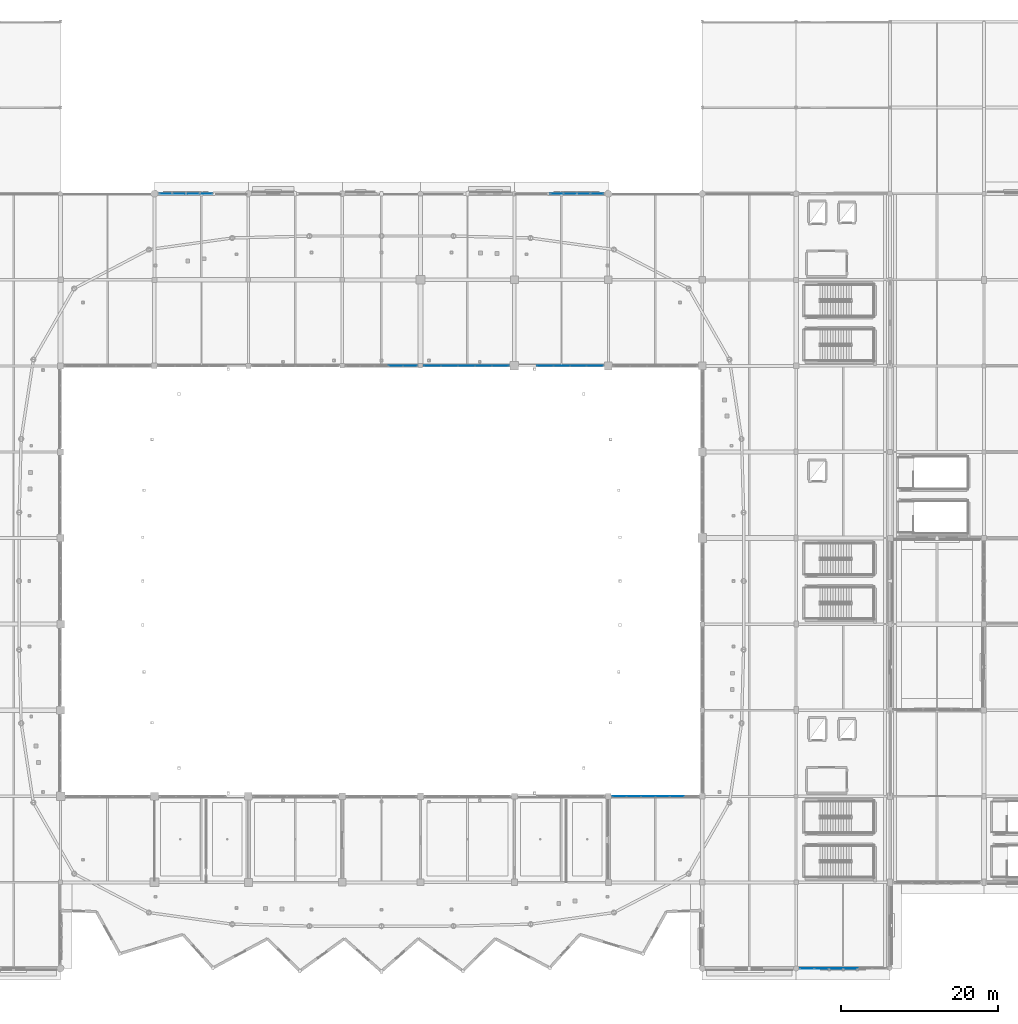
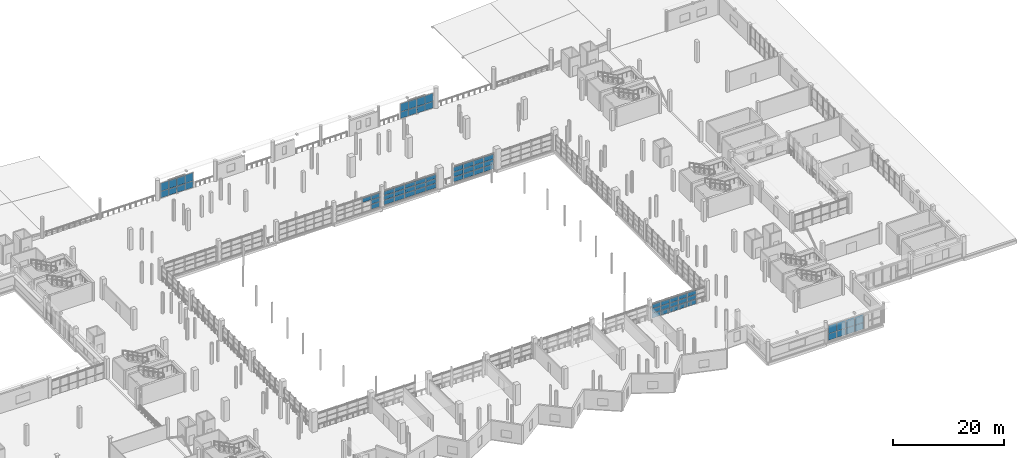
# One storey, part 71 of 118: 70 plates, 7 elements without a shape of their own.
"""IFC4 building model written with IfcOpenShell, lengths in metres."""

from ifc_helpers import new_model, si_unit, direction, frame, origin, origin_2d, place, context, subcontext, project, spatial, rectangle, extrude, material, layer, layer_set, type_object, element, aggregate, save


model = new_model("IFC4")

# Units and contexts
model_context = context("Model", 3, precision=1e-05, world=origin(), true_north=direction((0.0, 1.0)))
body_context = subcontext(model_context, "Body", "Model", "MODEL_VIEW")
ifc_project = project(units=[si_unit("LENGTHUNIT", "METRE"), si_unit("AREAUNIT", "SQUARE_METRE"), si_unit("VOLUMEUNIT", "CUBIC_METRE"), si_unit("PLANEANGLEUNIT", "RADIAN"), si_unit("MASSUNIT", "GRAM", prefix="KILO")], contexts=[model_context])

# Site, building, storey
site_placement = place(None, origin())
site = spatial("IfcSite", under=ifc_project, at=site_placement, CompositionType="ELEMENT")
building_placement = place(site_placement, origin())
building = spatial("IfcBuilding", under=site, at=building_placement, Name="Luwafu Chhajja Arena", CompositionType="ELEMENT")
storey_placement = place(building_placement, frame((0.0, 0.0, 10.199951171875)))
storey = spatial("IfcBuildingStorey", under=building, at=storey_placement, Name="L02", CompositionType="ELEMENT", Elevation=10.199951171875)

# Curtain wall, plates
ifc_material_1 = material(Name="Anodised bronze aluminium", Category="aluminium")
curtain_wall_type_1 = type_object("IfcCurtainWallType", Name="VIP Club Terrace Curtain Wall", PredefinedType="USERDEFINED", material=ifc_material_1)
curtain_wall_1_placement = place(storey_placement, origin())
curtain_wall_1 = element("IfcCurtainWall", 1, at=curtain_wall_1_placement, inside=storey, type_object=curtain_wall_type_1, Name="L02 Curtain Wall CWG-L02-H06_09", ObjectType="CURTAIN WALL", PredefinedType="USERDEFINED")
ifc_material_2 = material(Name="Solar-control laminated glass", Category="glass")
ifc_layer_1 = layer(ifc_material_2, 0.035888671875, Name="Solar-control laminated glass")
ifc_layer_set_1 = layer_set([ifc_layer_1], Name="Solar-control laminated glass")
plate_type_1 = type_object("IfcPlateType", Name="Acoustic Broadcast Double Glazed CW Panel 36", PredefinedType="CURTAIN_PANEL", material=ifc_layer_set_1)
plate_1_placement = place(storey_placement, frame((71.464599609375, 99.0, 0.094970703125), z_axis=(0.0, 0.0, 1.0), x_axis=(1.0, 0.0, 0.0)))
plate_1 = element("IfcPlate", 2, at=plate_1_placement, type_object=plate_type_1, Name="CW-10 panel 1.1", PredefinedType="CURTAIN_PANEL", context=body_context, shape_type="SweptSolid", body=[
    extrude(rectangle(XDim=1.619384765625, YDim=0.035888671875, at=origin_2d()), origin(), (0.0, 0.0, 1.0), 1.40478515625),
])
plate_2_placement = place(storey_placement, frame((71.464599609375, 99.0, 1.56494140625), z_axis=(0.0, 0.0, 1.0), x_axis=(1.0, 0.0, 0.0)))
plate_2 = element("IfcPlate", 3, at=plate_2_placement, type_object=plate_type_1, Name="CW-10 panel 1.2", PredefinedType="CURTAIN_PANEL", context=body_context, shape_type="SweptSolid", body=[
    extrude(rectangle(XDim=1.619384765625, YDim=0.035888671875, at=origin_2d()), origin(), (0.0, 0.0, 1.0), 1.775146484375),
])
plate_3_placement = place(storey_placement, frame((73.165283203125, 99.0, 0.094970703125), z_axis=(0.0, 0.0, 1.0), x_axis=(1.0, 0.0, 0.0)))
plate_3 = element("IfcPlate", 4, at=plate_3_placement, type_object=plate_type_1, Name="CW-10 panel 2.1", PredefinedType="CURTAIN_PANEL", context=body_context, shape_type="SweptSolid", body=[
    extrude(rectangle(XDim=1.65185546875, YDim=0.035888671875, at=origin_2d()), origin(), (0.0, 0.0, 1.0), 1.40478515625),
])
plate_4_placement = place(storey_placement, frame((73.165283203125, 99.0, 1.56494140625), z_axis=(0.0, 0.0, 1.0), x_axis=(1.0, 0.0, 0.0)))
plate_4 = element("IfcPlate", 5, at=plate_4_placement, type_object=plate_type_1, Name="CW-10 panel 2.2", PredefinedType="CURTAIN_PANEL", context=body_context, shape_type="SweptSolid", body=[
    extrude(rectangle(XDim=1.65185546875, YDim=0.035888671875, at=origin_2d()), origin(), (0.0, 0.0, 1.0), 1.775146484375),
])
plate_5_placement = place(storey_placement, frame((74.882080078125, 99.0, 0.094970703125), z_axis=(0.0, 0.0, 1.0), x_axis=(1.0, 0.0, 0.0)))
plate_5 = element("IfcPlate", 6, at=plate_5_placement, type_object=plate_type_1, Name="CW-10 panel 3.1", PredefinedType="CURTAIN_PANEL", context=body_context, shape_type="SweptSolid", body=[
    extrude(rectangle(XDim=1.65185546875, YDim=0.035888671875, at=origin_2d()), origin(), (0.0, 0.0, 1.0), 1.40478515625),
])
plate_6_placement = place(storey_placement, frame((74.882080078125, 99.0, 1.56494140625), z_axis=(0.0, 0.0, 1.0), x_axis=(1.0, 0.0, 0.0)))
plate_6 = element("IfcPlate", 7, at=plate_6_placement, type_object=plate_type_1, Name="CW-10 panel 3.2", PredefinedType="CURTAIN_PANEL", context=body_context, shape_type="SweptSolid", body=[
    extrude(rectangle(XDim=1.65185546875, YDim=0.035888671875, at=origin_2d()), origin(), (0.0, 0.0, 1.0), 1.775146484375),
])
plate_7_placement = place(storey_placement, frame((76.582763671875, 99.0, 0.094970703125), z_axis=(0.0, 0.0, 1.0), x_axis=(1.0, 0.0, 0.0)))
plate_7 = element("IfcPlate", 8, at=plate_7_placement, type_object=plate_type_1, Name="CW-10 panel 4.1", PredefinedType="CURTAIN_PANEL", context=body_context, shape_type="SweptSolid", body=[
    extrude(rectangle(XDim=1.619384765625, YDim=0.035888671875, at=origin_2d()), origin(), (0.0, 0.0, 1.0), 1.40478515625),
])
plate_8_placement = place(storey_placement, frame((76.582763671875, 99.0, 1.56494140625), z_axis=(0.0, 0.0, 1.0), x_axis=(1.0, 0.0, 0.0)))
plate_8 = element("IfcPlate", 9, at=plate_8_placement, type_object=plate_type_1, Name="CW-10 panel 4.2", PredefinedType="CURTAIN_PANEL", context=body_context, shape_type="SweptSolid", body=[
    extrude(rectangle(XDim=1.619384765625, YDim=0.035888671875, at=origin_2d()), origin(), (0.0, 0.0, 1.0), 1.775146484375),
])
aggregate(curtain_wall_1, [plate_1, plate_2, plate_3, plate_4, plate_5, plate_6, plate_7, plate_8])

curtain_wall_type_2 = type_object("IfcCurtainWallType", Name="Media Ribbon Curtain Wall", PredefinedType="USERDEFINED", material=ifc_material_1)
curtain_wall_2_placement = place(storey_placement, origin())
curtain_wall_2 = element("IfcCurtainWall", 10, at=curtain_wall_2_placement, inside=storey, type_object=curtain_wall_type_2, Name="L02 Curtain Wall CWG-L02-H13_00", ObjectType="CURTAIN WALL", PredefinedType="USERDEFINED")
plate_9_placement = place(storey_placement, frame((153.4091796875, 0.0, 0.10009765625), z_axis=(0.0, 0.0, 1.0), x_axis=(1.0, 0.0, 0.0)))
plate_9 = element("IfcPlate", 11, at=plate_9_placement, type_object=plate_type_1, Name="CW-03 panel 1.1", PredefinedType="CURTAIN_PANEL", context=body_context, shape_type="SweptSolid", body=[
    extrude(rectangle(XDim=1.748291015625, YDim=0.035888671875, at=origin_2d()), origin(), (0.0, 0.0, 1.0), 1.397216796875),
])
plate_10_placement = place(storey_placement, frame((153.4091796875, 0.0, 1.5673828125), z_axis=(0.0, 0.0, 1.0), x_axis=(1.0, 0.0, 0.0)))
plate_10 = element("IfcPlate", 12, at=plate_10_placement, type_object=plate_type_1, Name="CW-03 panel 1.2", PredefinedType="CURTAIN_PANEL", context=body_context, shape_type="SweptSolid", body=[
    extrude(rectangle(XDim=1.748291015625, YDim=0.035888671875, at=origin_2d()), origin(), (0.0, 0.0, 1.0), 1.767578125),
])
plate_11_placement = place(storey_placement, frame((155.2451171875, 0.0, 0.10009765625), z_axis=(0.0, 0.0, 1.0), x_axis=(1.0, 0.0, 0.0)))
plate_11 = element("IfcPlate", 13, at=plate_11_placement, type_object=plate_type_1, Name="CW-03 panel 2.1", PredefinedType="CURTAIN_PANEL", context=body_context, shape_type="SweptSolid", body=[
    extrude(rectangle(XDim=1.783447265625, YDim=0.035888671875, at=origin_2d()), origin(), (0.0, 0.0, 1.0), 1.397216796875),
])
plate_12_placement = place(storey_placement, frame((155.2451171875, 0.0, 1.5673828125), z_axis=(0.0, 0.0, 1.0), x_axis=(1.0, 0.0, 0.0)))
plate_12 = element("IfcPlate", 14, at=plate_12_placement, type_object=plate_type_1, Name="CW-03 panel 2.2", PredefinedType="CURTAIN_PANEL", context=body_context, shape_type="SweptSolid", body=[
    extrude(rectangle(XDim=1.783447265625, YDim=0.035888671875, at=origin_2d()), origin(), (0.0, 0.0, 1.0), 1.767578125),
])
plate_13_placement = place(storey_placement, frame((157.098388671875, 0.0, 0.10009765625), z_axis=(0.0, 0.0, 1.0), x_axis=(1.0, 0.0, 0.0)))
plate_13 = element("IfcPlate", 15, at=plate_13_placement, type_object=plate_type_1, Name="CW-03 panel 3.1", PredefinedType="CURTAIN_PANEL", context=body_context, shape_type="SweptSolid", body=[
    extrude(rectangle(XDim=1.783447265625, YDim=0.035888671875, at=origin_2d()), origin(), (0.0, 0.0, 1.0), 1.397216796875),
])
plate_14_placement = place(storey_placement, frame((157.098388671875, 0.0, 1.5673828125), z_axis=(0.0, 0.0, 1.0), x_axis=(1.0, 0.0, 0.0)))
plate_14 = element("IfcPlate", 16, at=plate_14_placement, type_object=plate_type_1, Name="CW-03 panel 3.2", PredefinedType="CURTAIN_PANEL", context=body_context, shape_type="SweptSolid", body=[
    extrude(rectangle(XDim=1.783447265625, YDim=0.035888671875, at=origin_2d()), origin(), (0.0, 0.0, 1.0), 1.767578125),
])
plate_15_placement = place(storey_placement, frame((158.95166015625, 0.0, 0.10009765625), z_axis=(0.0, 0.0, 1.0), x_axis=(1.0, 0.0, 0.0)))
plate_15 = element("IfcPlate", 17, at=plate_15_placement, type_object=plate_type_1, Name="CW-03 panel 4.1", PredefinedType="CURTAIN_PANEL", context=body_context, shape_type="SweptSolid", body=[
    extrude(rectangle(XDim=1.783447265625, YDim=0.035888671875, at=origin_2d()), origin(), (0.0, 0.0, 1.0), 1.397216796875),
])
plate_16_placement = place(storey_placement, frame((158.95166015625, 0.0, 1.5673828125), z_axis=(0.0, 0.0, 1.0), x_axis=(1.0, 0.0, 0.0)))
plate_16 = element("IfcPlate", 18, at=plate_16_placement, type_object=plate_type_1, Name="CW-03 panel 4.2", PredefinedType="CURTAIN_PANEL", context=body_context, shape_type="SweptSolid", body=[
    extrude(rectangle(XDim=1.783447265625, YDim=0.035888671875, at=origin_2d()), origin(), (0.0, 0.0, 1.0), 1.767578125),
])
aggregate(curtain_wall_2, [plate_9, plate_10, plate_11, plate_12, plate_13, plate_14, plate_15, plate_16])

curtain_wall_type_3 = type_object("IfcCurtainWallType", Name="Hospitality Ring Curtain Wall", PredefinedType="USERDEFINED", material=ifc_material_1)
curtain_wall_3_placement = place(storey_placement, origin())
curtain_wall_3 = element("IfcCurtainWall", 19, at=curtain_wall_3_placement, inside=storey, type_object=curtain_wall_type_3, Name="L02 Curtain Wall CWG-L02-H10_09", ObjectType="CURTAIN WALL", PredefinedType="USERDEFINED")
ifc_layer_2 = layer(ifc_material_2, 0.028076171875, Name="Solar-control laminated glass")
ifc_layer_set_2 = layer_set([ifc_layer_2], Name="Solar-control laminated glass")
plate_type_2 = type_object("IfcPlateType", Name="Solar Control Double Glazed CW Panel 28", PredefinedType="CURTAIN_PANEL", material=ifc_layer_set_2)
plate_17_placement = place(storey_placement, frame((121.417236328125, 99.0, 0.094970703125), z_axis=(0.0, 0.0, 1.0), x_axis=(1.0, 0.0, 0.0)))
plate_17 = element("IfcPlate", 20, at=plate_17_placement, type_object=plate_type_2, Name="CW-02 panel 1.1", PredefinedType="CURTAIN_PANEL", context=body_context, shape_type="SweptSolid", body=[
    extrude(rectangle(XDim=1.619384765625, YDim=0.028076171875, at=origin_2d()), origin(), (0.0, 0.0, 1.0), 1.40478515625),
])
plate_18_placement = place(storey_placement, frame((121.417236328125, 99.0, 1.56494140625), z_axis=(0.0, 0.0, 1.0), x_axis=(1.0, 0.0, 0.0)))
plate_18 = element("IfcPlate", 21, at=plate_18_placement, type_object=plate_type_2, Name="CW-02 panel 1.2", PredefinedType="CURTAIN_PANEL", context=body_context, shape_type="SweptSolid", body=[
    extrude(rectangle(XDim=1.619384765625, YDim=0.028076171875, at=origin_2d()), origin(), (0.0, 0.0, 1.0), 1.775146484375),
])
plate_19_placement = place(storey_placement, frame((123.117919921875, 99.0, 0.094970703125), z_axis=(0.0, 0.0, 1.0), x_axis=(1.0, 0.0, 0.0)))
plate_19 = element("IfcPlate", 22, at=plate_19_placement, type_object=plate_type_2, Name="CW-02 panel 2.1", PredefinedType="CURTAIN_PANEL", context=body_context, shape_type="SweptSolid", body=[
    extrude(rectangle(XDim=1.65185546875, YDim=0.028076171875, at=origin_2d()), origin(), (0.0, 0.0, 1.0), 1.40478515625),
])
plate_20_placement = place(storey_placement, frame((123.117919921875, 99.0, 1.56494140625), z_axis=(0.0, 0.0, 1.0), x_axis=(1.0, 0.0, 0.0)))
plate_20 = element("IfcPlate", 23, at=plate_20_placement, type_object=plate_type_2, Name="CW-02 panel 2.2", PredefinedType="CURTAIN_PANEL", context=body_context, shape_type="SweptSolid", body=[
    extrude(rectangle(XDim=1.65185546875, YDim=0.028076171875, at=origin_2d()), origin(), (0.0, 0.0, 1.0), 1.775146484375),
])
plate_21_placement = place(storey_placement, frame((124.834716796875, 99.0, 0.094970703125), z_axis=(0.0, 0.0, 1.0), x_axis=(1.0, 0.0, 0.0)))
plate_21 = element("IfcPlate", 24, at=plate_21_placement, type_object=plate_type_2, Name="CW-02 panel 3.1", PredefinedType="CURTAIN_PANEL", context=body_context, shape_type="SweptSolid", body=[
    extrude(rectangle(XDim=1.65185546875, YDim=0.028076171875, at=origin_2d()), origin(), (0.0, 0.0, 1.0), 1.40478515625),
])
plate_22_placement = place(storey_placement, frame((124.834716796875, 99.0, 1.56494140625), z_axis=(0.0, 0.0, 1.0), x_axis=(1.0, 0.0, 0.0)))
plate_22 = element("IfcPlate", 25, at=plate_22_placement, type_object=plate_type_2, Name="CW-02 panel 3.2", PredefinedType="CURTAIN_PANEL", context=body_context, shape_type="SweptSolid", body=[
    extrude(rectangle(XDim=1.65185546875, YDim=0.028076171875, at=origin_2d()), origin(), (0.0, 0.0, 1.0), 1.775146484375),
])
plate_23_placement = place(storey_placement, frame((126.535400390625, 99.0, 0.094970703125), z_axis=(0.0, 0.0, 1.0), x_axis=(1.0, 0.0, 0.0)))
plate_23 = element("IfcPlate", 26, at=plate_23_placement, type_object=plate_type_2, Name="CW-02 panel 4.1", PredefinedType="CURTAIN_PANEL", context=body_context, shape_type="SweptSolid", body=[
    extrude(rectangle(XDim=1.619384765625, YDim=0.028076171875, at=origin_2d()), origin(), (0.0, 0.0, 1.0), 1.40478515625),
])
plate_24_placement = place(storey_placement, frame((126.535400390625, 99.0, 1.56494140625), z_axis=(0.0, 0.0, 1.0), x_axis=(1.0, 0.0, 0.0)))
plate_24 = element("IfcPlate", 27, at=plate_24_placement, type_object=plate_type_2, Name="CW-02 panel 4.2", PredefinedType="CURTAIN_PANEL", context=body_context, shape_type="SweptSolid", body=[
    extrude(rectangle(XDim=1.619384765625, YDim=0.028076171875, at=origin_2d()), origin(), (0.0, 0.0, 1.0), 1.775146484375),
])
aggregate(curtain_wall_3, [plate_17, plate_18, plate_19, plate_20, plate_21, plate_22, plate_23, plate_24])

curtain_wall_4_placement = place(storey_placement, origin())
curtain_wall_4 = element("IfcCurtainWall", 28, at=curtain_wall_4_placement, inside=storey, type_object=curtain_wall_type_3, Name="L02 Bowl Viewing Curtain Wall CWR-L02-07", ObjectType="CURTAIN WALL", PredefinedType="USERDEFINED")
plate_25_placement = place(storey_placement, frame((129.4267578125, 22.0, 0.06494140625), z_axis=(0.0, 0.0, 1.0), x_axis=(1.0, 0.0, 0.0)))
plate_25 = element("IfcPlate", 29, at=plate_25_placement, type_object=plate_type_2, Name="CW-02 panel 1.1", PredefinedType="CURTAIN_PANEL", context=body_context, shape_type="SweptSolid", body=[
    extrude(rectangle(XDim=1.743408203125, YDim=0.028076171875, at=origin_2d()), origin(), (0.0, 0.0, 1.0), 1.052490234375),
])
plate_26_placement = place(storey_placement, frame((129.4267578125, 22.0, 1.1826171875), z_axis=(0.0, 0.0, 1.0), x_axis=(1.0, 0.0, 0.0)))
plate_26 = element("IfcPlate", 30, at=plate_26_placement, type_object=plate_type_2, Name="CW-02 panel 1.2", PredefinedType="CURTAIN_PANEL", context=body_context, shape_type="SweptSolid", body=[
    extrude(rectangle(XDim=1.743408203125, YDim=0.028076171875, at=origin_2d()), origin(), (0.0, 0.0, 1.0), 0.929931640625),
])
plate_27_placement = place(storey_placement, frame((129.4267578125, 22.0, 2.177490234375), z_axis=(0.0, 0.0, 1.0), x_axis=(1.0, 0.0, 0.0)))
plate_27 = element("IfcPlate", 31, at=plate_27_placement, type_object=plate_type_2, Name="CW-02 panel 1.3", PredefinedType="CURTAIN_PANEL", context=body_context, shape_type="SweptSolid", body=[
    extrude(rectangle(XDim=1.743408203125, YDim=0.028076171875, at=origin_2d()), origin(), (0.0, 0.0, 1.0), 0.8974609375),
])
plate_28_placement = place(storey_placement, frame((131.251220703125, 22.0, 0.06494140625), z_axis=(0.0, 0.0, 1.0), x_axis=(1.0, 0.0, 0.0)))
plate_28 = element("IfcPlate", 32, at=plate_28_placement, type_object=plate_type_2, Name="CW-02 panel 2.1", PredefinedType="CURTAIN_PANEL", context=body_context, shape_type="SweptSolid", body=[
    extrude(rectangle(XDim=1.77587890625, YDim=0.028076171875, at=origin_2d()), origin(), (0.0, 0.0, 1.0), 1.052490234375),
])
plate_29_placement = place(storey_placement, frame((131.251220703125, 22.0, 1.1826171875), z_axis=(0.0, 0.0, 1.0), x_axis=(1.0, 0.0, 0.0)))
plate_29 = element("IfcPlate", 33, at=plate_29_placement, type_object=plate_type_2, Name="CW-02 panel 2.2", PredefinedType="CURTAIN_PANEL", context=body_context, shape_type="SweptSolid", body=[
    extrude(rectangle(XDim=1.77587890625, YDim=0.028076171875, at=origin_2d()), origin(), (0.0, 0.0, 1.0), 0.929931640625),
])
plate_30_placement = place(storey_placement, frame((131.251220703125, 22.0, 2.177490234375), z_axis=(0.0, 0.0, 1.0), x_axis=(1.0, 0.0, 0.0)))
plate_30 = element("IfcPlate", 34, at=plate_30_placement, type_object=plate_type_2, Name="CW-02 panel 2.3", PredefinedType="CURTAIN_PANEL", context=body_context, shape_type="SweptSolid", body=[
    extrude(rectangle(XDim=1.77587890625, YDim=0.028076171875, at=origin_2d()), origin(), (0.0, 0.0, 1.0), 0.8974609375),
])
plate_31_placement = place(storey_placement, frame((133.092041015625, 22.0, 0.06494140625), z_axis=(0.0, 0.0, 1.0), x_axis=(1.0, 0.0, 0.0)))
plate_31 = element("IfcPlate", 35, at=plate_31_placement, type_object=plate_type_2, Name="CW-02 panel 3.1", PredefinedType="CURTAIN_PANEL", context=body_context, shape_type="SweptSolid", body=[
    extrude(rectangle(XDim=1.77587890625, YDim=0.028076171875, at=origin_2d()), origin(), (0.0, 0.0, 1.0), 1.052490234375),
])
plate_32_placement = place(storey_placement, frame((133.092041015625, 22.0, 1.1826171875), z_axis=(0.0, 0.0, 1.0), x_axis=(1.0, 0.0, 0.0)))
plate_32 = element("IfcPlate", 36, at=plate_32_placement, type_object=plate_type_2, Name="CW-02 panel 3.2", PredefinedType="CURTAIN_PANEL", context=body_context, shape_type="SweptSolid", body=[
    extrude(rectangle(XDim=1.77587890625, YDim=0.028076171875, at=origin_2d()), origin(), (0.0, 0.0, 1.0), 0.929931640625),
])
plate_33_placement = place(storey_placement, frame((133.092041015625, 22.0, 2.177490234375), z_axis=(0.0, 0.0, 1.0), x_axis=(1.0, 0.0, 0.0)))
plate_33 = element("IfcPlate", 37, at=plate_33_placement, type_object=plate_type_2, Name="CW-02 panel 3.3", PredefinedType="CURTAIN_PANEL", context=body_context, shape_type="SweptSolid", body=[
    extrude(rectangle(XDim=1.77587890625, YDim=0.028076171875, at=origin_2d()), origin(), (0.0, 0.0, 1.0), 0.8974609375),
])
plate_34_placement = place(storey_placement, frame((134.932861328125, 22.0, 0.06494140625), z_axis=(0.0, 0.0, 1.0), x_axis=(1.0, 0.0, 0.0)))
plate_34 = element("IfcPlate", 38, at=plate_34_placement, type_object=plate_type_2, Name="CW-02 panel 4.1", PredefinedType="CURTAIN_PANEL", context=body_context, shape_type="SweptSolid", body=[
    extrude(rectangle(XDim=1.77587890625, YDim=0.028076171875, at=origin_2d()), origin(), (0.0, 0.0, 1.0), 1.052490234375),
])
plate_35_placement = place(storey_placement, frame((134.932861328125, 22.0, 1.1826171875), z_axis=(0.0, 0.0, 1.0), x_axis=(1.0, 0.0, 0.0)))
plate_35 = element("IfcPlate", 39, at=plate_35_placement, type_object=plate_type_2, Name="CW-02 panel 4.2", PredefinedType="CURTAIN_PANEL", context=body_context, shape_type="SweptSolid", body=[
    extrude(rectangle(XDim=1.77587890625, YDim=0.028076171875, at=origin_2d()), origin(), (0.0, 0.0, 1.0), 0.929931640625),
])
plate_36_placement = place(storey_placement, frame((134.932861328125, 22.0, 2.177490234375), z_axis=(0.0, 0.0, 1.0), x_axis=(1.0, 0.0, 0.0)))
plate_36 = element("IfcPlate", 40, at=plate_36_placement, type_object=plate_type_2, Name="CW-02 panel 4.3", PredefinedType="CURTAIN_PANEL", context=body_context, shape_type="SweptSolid", body=[
    extrude(rectangle(XDim=1.77587890625, YDim=0.028076171875, at=origin_2d()), origin(), (0.0, 0.0, 1.0), 0.8974609375),
])
plate_37_placement = place(storey_placement, frame((136.773681640625, 22.0, 0.06494140625), z_axis=(0.0, 0.0, 1.0), x_axis=(1.0, 0.0, 0.0)))
plate_37 = element("IfcPlate", 41, at=plate_37_placement, type_object=plate_type_2, Name="CW-02 panel 5.1", PredefinedType="CURTAIN_PANEL", context=body_context, shape_type="SweptSolid", body=[
    extrude(rectangle(XDim=1.77587890625, YDim=0.028076171875, at=origin_2d()), origin(), (0.0, 0.0, 1.0), 1.052490234375),
])
plate_38_placement = place(storey_placement, frame((136.773681640625, 22.0, 1.1826171875), z_axis=(0.0, 0.0, 1.0), x_axis=(1.0, 0.0, 0.0)))
plate_38 = element("IfcPlate", 42, at=plate_38_placement, type_object=plate_type_2, Name="CW-02 panel 5.2", PredefinedType="CURTAIN_PANEL", context=body_context, shape_type="SweptSolid", body=[
    extrude(rectangle(XDim=1.77587890625, YDim=0.028076171875, at=origin_2d()), origin(), (0.0, 0.0, 1.0), 0.929931640625),
])
plate_39_placement = place(storey_placement, frame((136.773681640625, 22.0, 2.177490234375), z_axis=(0.0, 0.0, 1.0), x_axis=(1.0, 0.0, 0.0)))
plate_39 = element("IfcPlate", 43, at=plate_39_placement, type_object=plate_type_2, Name="CW-02 panel 5.3", PredefinedType="CURTAIN_PANEL", context=body_context, shape_type="SweptSolid", body=[
    extrude(rectangle(XDim=1.77587890625, YDim=0.028076171875, at=origin_2d()), origin(), (0.0, 0.0, 1.0), 0.8974609375),
])
aggregate(curtain_wall_4, [plate_25, plate_26, plate_27, plate_28, plate_29, plate_30, plate_31, plate_32, plate_33, plate_34, plate_35, plate_36, plate_37, plate_38, plate_39])

curtain_wall_5_placement = place(storey_placement, origin())
curtain_wall_5 = element("IfcCurtainWall", 44, at=curtain_wall_5_placement, inside=storey, type_object=curtain_wall_type_3, Name="L02 Bowl Viewing Curtain Wall CWR-L02-11", ObjectType="CURTAIN WALL", PredefinedType="USERDEFINED")
plate_40_placement = place(storey_placement, frame((100.841552734375, 77.0, 2.177490234375), z_axis=(0.0, 0.0, 1.0), x_axis=(1.0, 0.0, 0.0)))
plate_40 = element("IfcPlate", 45, at=plate_40_placement, type_object=plate_type_2, Name="CW-02 panel 4.3", PredefinedType="CURTAIN_PANEL", context=body_context, shape_type="SweptSolid", body=[
    extrude(rectangle(XDim=1.763916015625, YDim=0.028076171875, at=origin_2d()), origin(), (0.0, 0.0, 1.0), 0.8974609375),
])
plate_41_placement = place(storey_placement, frame((102.654296875, 77.0, 0.06494140625), z_axis=(0.0, 0.0, 1.0), x_axis=(1.0, 0.0, 0.0)))
plate_41 = element("IfcPlate", 46, at=plate_41_placement, type_object=plate_type_2, Name="CW-02 panel 5.1", PredefinedType="CURTAIN_PANEL", context=body_context, shape_type="SweptSolid", body=[
    extrude(rectangle(XDim=1.7314453125, YDim=0.028076171875, at=origin_2d()), origin(), (0.0, 0.0, 1.0), 1.052490234375),
])
plate_42_placement = place(storey_placement, frame((102.654296875, 77.0, 1.1826171875), z_axis=(0.0, 0.0, 1.0), x_axis=(1.0, 0.0, 0.0)))
plate_42 = element("IfcPlate", 47, at=plate_42_placement, type_object=plate_type_2, Name="CW-02 panel 5.2", PredefinedType="CURTAIN_PANEL", context=body_context, shape_type="SweptSolid", body=[
    extrude(rectangle(XDim=1.7314453125, YDim=0.028076171875, at=origin_2d()), origin(), (0.0, 0.0, 1.0), 0.929931640625),
])
plate_43_placement = place(storey_placement, frame((102.654296875, 77.0, 2.177490234375), z_axis=(0.0, 0.0, 1.0), x_axis=(1.0, 0.0, 0.0)))
plate_43 = element("IfcPlate", 48, at=plate_43_placement, type_object=plate_type_2, Name="CW-02 panel 5.3", PredefinedType="CURTAIN_PANEL", context=body_context, shape_type="SweptSolid", body=[
    extrude(rectangle(XDim=1.7314453125, YDim=0.028076171875, at=origin_2d()), origin(), (0.0, 0.0, 1.0), 0.8974609375),
])
aggregate(curtain_wall_5, [plate_40, plate_41, plate_42, plate_43])

curtain_wall_6_placement = place(storey_placement, origin())
curtain_wall_6 = element("IfcCurtainWall", 49, at=curtain_wall_6_placement, inside=storey, type_object=curtain_wall_type_3, Name="L02 Bowl Viewing Curtain Wall CWR-L02-12", ObjectType="CURTAIN WALL", PredefinedType="USERDEFINED")
plate_44_placement = place(storey_placement, frame((105.520751953125, 77.0, 0.06494140625), z_axis=(0.0, 0.0, 1.0), x_axis=(1.0, 0.0, 0.0)))
plate_44 = element("IfcPlate", 50, at=plate_44_placement, type_object=plate_type_2, Name="CW-02 panel 1.1", PredefinedType="CURTAIN_PANEL", context=body_context, shape_type="SweptSolid", body=[
    extrude(rectangle(XDim=2.08154296875, YDim=0.028076171875, at=origin_2d()), origin(), (0.0, 0.0, 1.0), 1.052490234375),
])
plate_45_placement = place(storey_placement, frame((105.520751953125, 77.0, 1.1826171875), z_axis=(0.0, 0.0, 1.0), x_axis=(1.0, 0.0, 0.0)))
plate_45 = element("IfcPlate", 51, at=plate_45_placement, type_object=plate_type_2, Name="CW-02 panel 1.2", PredefinedType="CURTAIN_PANEL", context=body_context, shape_type="SweptSolid", body=[
    extrude(rectangle(XDim=2.08154296875, YDim=0.028076171875, at=origin_2d()), origin(), (0.0, 0.0, 1.0), 0.929931640625),
])
plate_46_placement = place(storey_placement, frame((105.520751953125, 77.0, 2.177490234375), z_axis=(0.0, 0.0, 1.0), x_axis=(1.0, 0.0, 0.0)))
plate_46 = element("IfcPlate", 52, at=plate_46_placement, type_object=plate_type_2, Name="CW-02 panel 1.3", PredefinedType="CURTAIN_PANEL", context=body_context, shape_type="SweptSolid", body=[
    extrude(rectangle(XDim=2.08154296875, YDim=0.028076171875, at=origin_2d()), origin(), (0.0, 0.0, 1.0), 0.8974609375),
])
plate_47_placement = place(storey_placement, frame((107.68359375, 77.0, 0.06494140625), z_axis=(0.0, 0.0, 1.0), x_axis=(1.0, 0.0, 0.0)))
plate_47 = element("IfcPlate", 53, at=plate_47_placement, type_object=plate_type_2, Name="CW-02 panel 2.1", PredefinedType="CURTAIN_PANEL", context=body_context, shape_type="SweptSolid", body=[
    extrude(rectangle(XDim=2.114013671875, YDim=0.028076171875, at=origin_2d()), origin(), (0.0, 0.0, 1.0), 1.052490234375),
])
plate_48_placement = place(storey_placement, frame((107.68359375, 77.0, 1.1826171875), z_axis=(0.0, 0.0, 1.0), x_axis=(1.0, 0.0, 0.0)))
plate_48 = element("IfcPlate", 54, at=plate_48_placement, type_object=plate_type_2, Name="CW-02 panel 2.2", PredefinedType="CURTAIN_PANEL", context=body_context, shape_type="SweptSolid", body=[
    extrude(rectangle(XDim=2.114013671875, YDim=0.028076171875, at=origin_2d()), origin(), (0.0, 0.0, 1.0), 0.929931640625),
])
plate_49_placement = place(storey_placement, frame((107.68359375, 77.0, 2.177490234375), z_axis=(0.0, 0.0, 1.0), x_axis=(1.0, 0.0, 0.0)))
plate_49 = element("IfcPlate", 55, at=plate_49_placement, type_object=plate_type_2, Name="CW-02 panel 2.3", PredefinedType="CURTAIN_PANEL", context=body_context, shape_type="SweptSolid", body=[
    extrude(rectangle(XDim=2.114013671875, YDim=0.028076171875, at=origin_2d()), origin(), (0.0, 0.0, 1.0), 0.8974609375),
])
plate_50_placement = place(storey_placement, frame((109.862548828125, 77.0, 0.06494140625), z_axis=(0.0, 0.0, 1.0), x_axis=(1.0, 0.0, 0.0)))
plate_50 = element("IfcPlate", 56, at=plate_50_placement, type_object=plate_type_2, Name="CW-02 panel 3.1", PredefinedType="CURTAIN_PANEL", context=body_context, shape_type="SweptSolid", body=[
    extrude(rectangle(XDim=2.114013671875, YDim=0.028076171875, at=origin_2d()), origin(), (0.0, 0.0, 1.0), 1.052490234375),
])
plate_51_placement = place(storey_placement, frame((109.862548828125, 77.0, 1.1826171875), z_axis=(0.0, 0.0, 1.0), x_axis=(1.0, 0.0, 0.0)))
plate_51 = element("IfcPlate", 57, at=plate_51_placement, type_object=plate_type_2, Name="CW-02 panel 3.2", PredefinedType="CURTAIN_PANEL", context=body_context, shape_type="SweptSolid", body=[
    extrude(rectangle(XDim=2.114013671875, YDim=0.028076171875, at=origin_2d()), origin(), (0.0, 0.0, 1.0), 0.929931640625),
])
plate_52_placement = place(storey_placement, frame((109.862548828125, 77.0, 2.177490234375), z_axis=(0.0, 0.0, 1.0), x_axis=(1.0, 0.0, 0.0)))
plate_52 = element("IfcPlate", 58, at=plate_52_placement, type_object=plate_type_2, Name="CW-02 panel 3.3", PredefinedType="CURTAIN_PANEL", context=body_context, shape_type="SweptSolid", body=[
    extrude(rectangle(XDim=2.114013671875, YDim=0.028076171875, at=origin_2d()), origin(), (0.0, 0.0, 1.0), 0.8974609375),
])
plate_53_placement = place(storey_placement, frame((112.04150390625, 77.0, 0.06494140625), z_axis=(0.0, 0.0, 1.0), x_axis=(1.0, 0.0, 0.0)))
plate_53 = element("IfcPlate", 59, at=plate_53_placement, type_object=plate_type_2, Name="CW-02 panel 4.1", PredefinedType="CURTAIN_PANEL", context=body_context, shape_type="SweptSolid", body=[
    extrude(rectangle(XDim=2.114013671875, YDim=0.028076171875, at=origin_2d()), origin(), (0.0, 0.0, 1.0), 1.052490234375),
])
plate_54_placement = place(storey_placement, frame((112.04150390625, 77.0, 1.1826171875), z_axis=(0.0, 0.0, 1.0), x_axis=(1.0, 0.0, 0.0)))
plate_54 = element("IfcPlate", 60, at=plate_54_placement, type_object=plate_type_2, Name="CW-02 panel 4.2", PredefinedType="CURTAIN_PANEL", context=body_context, shape_type="SweptSolid", body=[
    extrude(rectangle(XDim=2.114013671875, YDim=0.028076171875, at=origin_2d()), origin(), (0.0, 0.0, 1.0), 0.929931640625),
])
plate_55_placement = place(storey_placement, frame((112.04150390625, 77.0, 2.177490234375), z_axis=(0.0, 0.0, 1.0), x_axis=(1.0, 0.0, 0.0)))
plate_55 = element("IfcPlate", 61, at=plate_55_placement, type_object=plate_type_2, Name="CW-02 panel 4.3", PredefinedType="CURTAIN_PANEL", context=body_context, shape_type="SweptSolid", body=[
    extrude(rectangle(XDim=2.114013671875, YDim=0.028076171875, at=origin_2d()), origin(), (0.0, 0.0, 1.0), 0.8974609375),
])
plate_56_placement = place(storey_placement, frame((114.204345703125, 77.0, 0.06494140625), z_axis=(0.0, 0.0, 1.0), x_axis=(1.0, 0.0, 0.0)))
plate_56 = element("IfcPlate", 62, at=plate_56_placement, type_object=plate_type_2, Name="CW-02 panel 5.1", PredefinedType="CURTAIN_PANEL", context=body_context, shape_type="SweptSolid", body=[
    extrude(rectangle(XDim=2.08154296875, YDim=0.028076171875, at=origin_2d()), origin(), (0.0, 0.0, 1.0), 1.052490234375),
])
plate_57_placement = place(storey_placement, frame((114.204345703125, 77.0, 1.1826171875), z_axis=(0.0, 0.0, 1.0), x_axis=(1.0, 0.0, 0.0)))
plate_57 = element("IfcPlate", 63, at=plate_57_placement, type_object=plate_type_2, Name="CW-02 panel 5.2", PredefinedType="CURTAIN_PANEL", context=body_context, shape_type="SweptSolid", body=[
    extrude(rectangle(XDim=2.08154296875, YDim=0.028076171875, at=origin_2d()), origin(), (0.0, 0.0, 1.0), 0.929931640625),
])
plate_58_placement = place(storey_placement, frame((114.204345703125, 77.0, 2.177490234375), z_axis=(0.0, 0.0, 1.0), x_axis=(1.0, 0.0, 0.0)))
plate_58 = element("IfcPlate", 64, at=plate_58_placement, type_object=plate_type_2, Name="CW-02 panel 5.3", PredefinedType="CURTAIN_PANEL", context=body_context, shape_type="SweptSolid", body=[
    extrude(rectangle(XDim=2.08154296875, YDim=0.028076171875, at=origin_2d()), origin(), (0.0, 0.0, 1.0), 0.8974609375),
])
aggregate(curtain_wall_6, [plate_44, plate_45, plate_46, plate_47, plate_48, plate_49, plate_50, plate_51, plate_52, plate_53, plate_54, plate_55, plate_56, plate_57, plate_58])

curtain_wall_7_placement = place(storey_placement, origin())
curtain_wall_7 = element("IfcCurtainWall", 65, at=curtain_wall_7_placement, inside=storey, type_object=curtain_wall_type_3, Name="L02 Bowl Viewing Curtain Wall CWR-L02-13", ObjectType="CURTAIN WALL", PredefinedType="USERDEFINED")
plate_59_placement = place(storey_placement, frame((119.944580078125, 77.0, 0.06494140625), z_axis=(0.0, 0.0, 1.0), x_axis=(1.0, 0.0, 0.0)))
plate_59 = element("IfcPlate", 66, at=plate_59_placement, type_object=plate_type_2, Name="CW-02 panel 1.1", PredefinedType="CURTAIN_PANEL", context=body_context, shape_type="SweptSolid", body=[
    extrude(rectangle(XDim=2.02587890625, YDim=0.028076171875, at=origin_2d()), origin(), (0.0, 0.0, 1.0), 1.052490234375),
])
plate_60_placement = place(storey_placement, frame((119.944580078125, 77.0, 1.1826171875), z_axis=(0.0, 0.0, 1.0), x_axis=(1.0, 0.0, 0.0)))
plate_60 = element("IfcPlate", 67, at=plate_60_placement, type_object=plate_type_2, Name="CW-02 panel 1.2", PredefinedType="CURTAIN_PANEL", context=body_context, shape_type="SweptSolid", body=[
    extrude(rectangle(XDim=2.02587890625, YDim=0.028076171875, at=origin_2d()), origin(), (0.0, 0.0, 1.0), 1.054931640625),
])
plate_61_placement = place(storey_placement, frame((119.944580078125, 77.0, 2.302490234375), z_axis=(0.0, 0.0, 1.0), x_axis=(1.0, 0.0, 0.0)))
plate_61 = element("IfcPlate", 68, at=plate_61_placement, type_object=plate_type_2, Name="CW-02 panel 1.3", PredefinedType="CURTAIN_PANEL", context=body_context, shape_type="SweptSolid", body=[
    extrude(rectangle(XDim=2.02587890625, YDim=0.028076171875, at=origin_2d()), origin(), (0.0, 0.0, 1.0), 1.0224609375),
])
plate_62_placement = place(storey_placement, frame((122.051513671875, 77.0, 0.06494140625), z_axis=(0.0, 0.0, 1.0), x_axis=(1.0, 0.0, 0.0)))
plate_62 = element("IfcPlate", 69, at=plate_62_placement, type_object=plate_type_2, Name="CW-02 panel 2.1", PredefinedType="CURTAIN_PANEL", context=body_context, shape_type="SweptSolid", body=[
    extrude(rectangle(XDim=2.058349609375, YDim=0.028076171875, at=origin_2d()), origin(), (0.0, 0.0, 1.0), 1.052490234375),
])
plate_63_placement = place(storey_placement, frame((122.051513671875, 77.0, 1.1826171875), z_axis=(0.0, 0.0, 1.0), x_axis=(1.0, 0.0, 0.0)))
plate_63 = element("IfcPlate", 70, at=plate_63_placement, type_object=plate_type_2, Name="CW-02 panel 2.2", PredefinedType="CURTAIN_PANEL", context=body_context, shape_type="SweptSolid", body=[
    extrude(rectangle(XDim=2.058349609375, YDim=0.028076171875, at=origin_2d()), origin(), (0.0, 0.0, 1.0), 1.054931640625),
])
plate_64_placement = place(storey_placement, frame((122.051513671875, 77.0, 2.302490234375), z_axis=(0.0, 0.0, 1.0), x_axis=(1.0, 0.0, 0.0)))
plate_64 = element("IfcPlate", 71, at=plate_64_placement, type_object=plate_type_2, Name="CW-02 panel 2.3", PredefinedType="CURTAIN_PANEL", context=body_context, shape_type="SweptSolid", body=[
    extrude(rectangle(XDim=2.058349609375, YDim=0.028076171875, at=origin_2d()), origin(), (0.0, 0.0, 1.0), 1.0224609375),
])
plate_65_placement = place(storey_placement, frame((124.175048828125, 77.0, 0.06494140625), z_axis=(0.0, 0.0, 1.0), x_axis=(1.0, 0.0, 0.0)))
plate_65 = element("IfcPlate", 72, at=plate_65_placement, type_object=plate_type_2, Name="CW-02 panel 3.1", PredefinedType="CURTAIN_PANEL", context=body_context, shape_type="SweptSolid", body=[
    extrude(rectangle(XDim=2.058349609375, YDim=0.028076171875, at=origin_2d()), origin(), (0.0, 0.0, 1.0), 1.052490234375),
])
plate_66_placement = place(storey_placement, frame((124.175048828125, 77.0, 1.1826171875), z_axis=(0.0, 0.0, 1.0), x_axis=(1.0, 0.0, 0.0)))
plate_66 = element("IfcPlate", 73, at=plate_66_placement, type_object=plate_type_2, Name="CW-02 panel 3.2", PredefinedType="CURTAIN_PANEL", context=body_context, shape_type="SweptSolid", body=[
    extrude(rectangle(XDim=2.058349609375, YDim=0.028076171875, at=origin_2d()), origin(), (0.0, 0.0, 1.0), 1.054931640625),
])
plate_67_placement = place(storey_placement, frame((124.175048828125, 77.0, 2.302490234375), z_axis=(0.0, 0.0, 1.0), x_axis=(1.0, 0.0, 0.0)))
plate_67 = element("IfcPlate", 74, at=plate_67_placement, type_object=plate_type_2, Name="CW-02 panel 3.3", PredefinedType="CURTAIN_PANEL", context=body_context, shape_type="SweptSolid", body=[
    extrude(rectangle(XDim=2.058349609375, YDim=0.028076171875, at=origin_2d()), origin(), (0.0, 0.0, 1.0), 1.0224609375),
])
plate_68_placement = place(storey_placement, frame((126.281982421875, 77.0, 0.06494140625), z_axis=(0.0, 0.0, 1.0), x_axis=(1.0, 0.0, 0.0)))
plate_68 = element("IfcPlate", 75, at=plate_68_placement, type_object=plate_type_2, Name="CW-02 panel 4.1", PredefinedType="CURTAIN_PANEL", context=body_context, shape_type="SweptSolid", body=[
    extrude(rectangle(XDim=2.02587890625, YDim=0.028076171875, at=origin_2d()), origin(), (0.0, 0.0, 1.0), 1.052490234375),
])
plate_69_placement = place(storey_placement, frame((126.281982421875, 77.0, 1.1826171875), z_axis=(0.0, 0.0, 1.0), x_axis=(1.0, 0.0, 0.0)))
plate_69 = element("IfcPlate", 76, at=plate_69_placement, type_object=plate_type_2, Name="CW-02 panel 4.2", PredefinedType="CURTAIN_PANEL", context=body_context, shape_type="SweptSolid", body=[
    extrude(rectangle(XDim=2.02587890625, YDim=0.028076171875, at=origin_2d()), origin(), (0.0, 0.0, 1.0), 1.054931640625),
])
plate_70_placement = place(storey_placement, frame((126.281982421875, 77.0, 2.302490234375), z_axis=(0.0, 0.0, 1.0), x_axis=(1.0, 0.0, 0.0)))
plate_70 = element("IfcPlate", 77, at=plate_70_placement, type_object=plate_type_2, Name="CW-02 panel 4.3", PredefinedType="CURTAIN_PANEL", context=body_context, shape_type="SweptSolid", body=[
    extrude(rectangle(XDim=2.02587890625, YDim=0.028076171875, at=origin_2d()), origin(), (0.0, 0.0, 1.0), 1.0224609375),
])
aggregate(curtain_wall_7, [plate_59, plate_60, plate_61, plate_62, plate_63, plate_64, plate_65, plate_66, plate_67, plate_68, plate_69, plate_70])

save(model, "model.ifc")
